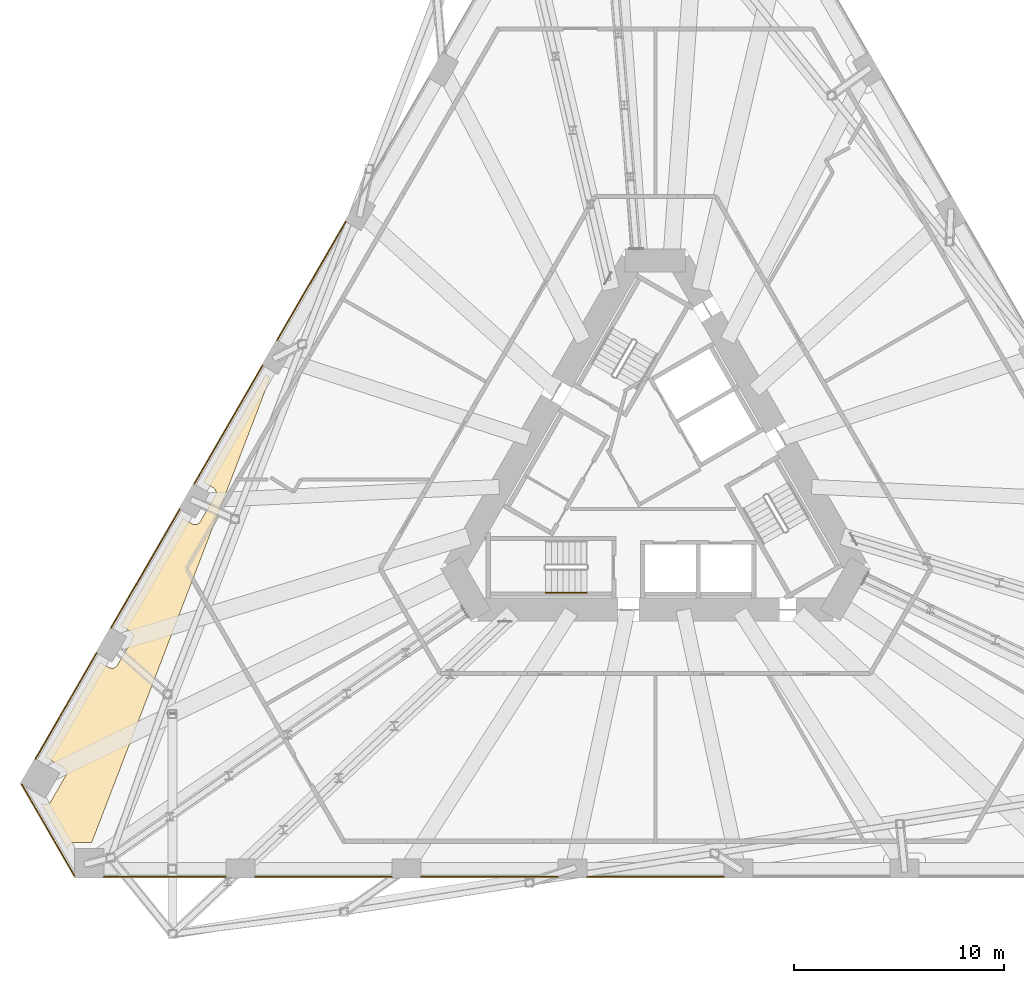
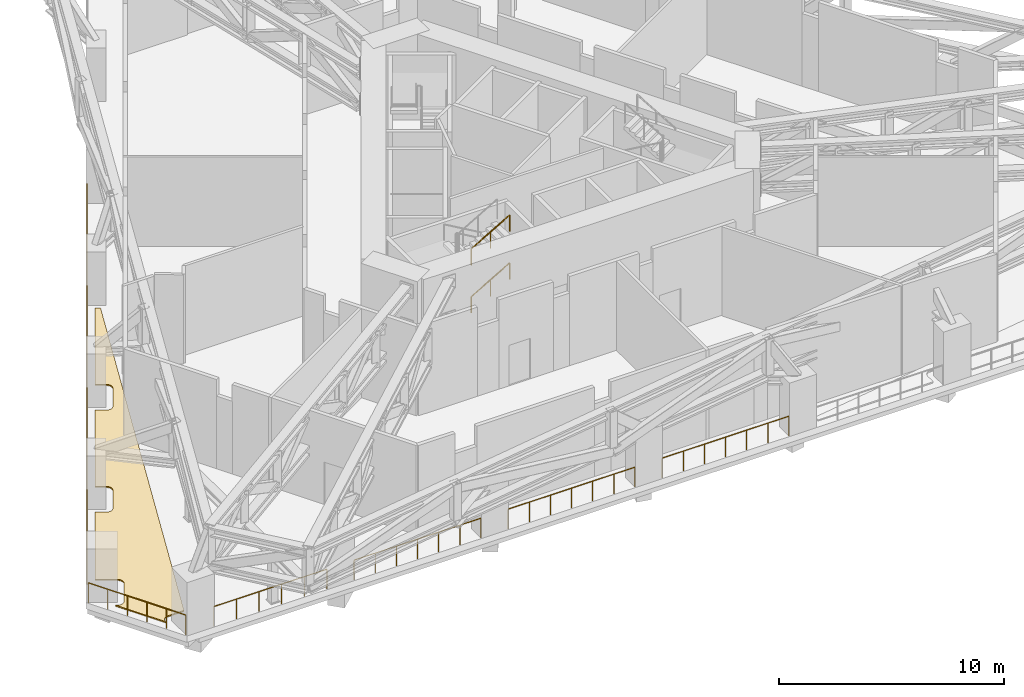
# One storey, part 17 of 20: 11 railings, 2 coverings.
"""IFC4 building model written with IfcOpenShell, lengths in metres."""

import ifcopenshell
import ifcopenshell.guid

model = None  # the IFC model being written
_history = None  # IfcOwnerHistory: only IFC2X3 demands one
_inside = {}  # id of a spatial element -> (the spatial element, [elements in it])
_under = {}  # id of a project, library or spatial element -> (it, [spatial elements below it])
_declared = {}  # id of a project -> (the project, [libraries it declares])
_typed = {}  # id of a type object -> (the type object, [elements of that type])
_made_of = {}  # id of a material, layer set ... -> (it, [elements and type objects made of it])


def new_model(schema):
    """Start an empty IFC model of exactly this schema.

    Asked for "IFC4X3", IfcOpenShell would pick the latest addendum, in which some entities
    have other attributes; the version numbers below select the first issue.
    IFC2X3 requires an IfcOwnerHistory on every rooted entity: one is made here for all.
    """
    global model, _history
    if schema == "IFC4X3":
        model = ifcopenshell.file(schema_version=(4, 3, 0, 0))
    else:
        model = ifcopenshell.file(schema=schema)
    _inside.clear()
    _under.clear()
    _declared.clear()
    _typed.clear()
    _made_of.clear()
    _history = None
    if model.schema == "IFC2X3":
        org = make("IfcOrganization", Name="unknown")
        user = make(
            "IfcPersonAndOrganization",
            ThePerson=make("IfcPerson", FamilyName="unknown"),
            TheOrganization=org,
        )
        app = make(
            "IfcApplication",
            ApplicationDeveloper=org,
            Version="unknown",
            ApplicationFullName="unknown",
            ApplicationIdentifier="unknown",
        )
        _history = make(
            "IfcOwnerHistory",
            OwningUser=user,
            OwningApplication=app,
            ChangeAction="ADDED",
            CreationDate=0,
        )
    return model


def make(cls, **values):
    """One entity of the class cls with the attributes given. An attribute that is None is left unset."""
    return model.create_entity(
        cls, **{name: value for name, value in values.items() if value is not None}
    )


def rooted(cls, **values):
    """An entity with a GlobalId (a new one), such as an element, a storey or a relation."""
    return make(cls, GlobalId=ifcopenshell.guid.new(), OwnerHistory=_history, **values)


def si_unit(unit_type, name, prefix=None):
    """IfcSIUnit, for example si_unit("LENGTHUNIT", "METRE", prefix="MILLI")."""
    return make("IfcSIUnit", UnitType=unit_type, Prefix=prefix, Name=name)


def assignment(units):
    """IfcUnitAssignment: the units of a project."""
    return None if units is None else make("IfcUnitAssignment", Units=units)


def point(xyz):
    """IfcCartesianPoint."""
    return None if xyz is None else make("IfcCartesianPoint", Coordinates=xyz)


def direction(xyz):
    """IfcDirection."""
    return None if xyz is None else make("IfcDirection", DirectionRatios=xyz)


def frame(location, z_axis=None, x_axis=None):
    """IfcAxis2Placement3D, a coordinate frame: its origin and axes. An axis left out is left unset."""
    return make(
        "IfcAxis2Placement3D",
        Location=point(location),
        Axis=direction(z_axis),
        RefDirection=direction(x_axis),
    )


def frame_2d(location, x_axis=None):
    """IfcAxis2Placement2D, a coordinate frame in the plane: its origin and x axis."""
    return make(
        "IfcAxis2Placement2D", Location=point(location), RefDirection=direction(x_axis)
    )


def origin():
    """The frame at (0, 0, 0) with its axes left unset."""
    return frame((0.0, 0.0, 0.0))


def origin_2d():
    """The frame at (0, 0) in the plane with its x axis left unset."""
    return frame_2d((0.0, 0.0))


def place(relative_to, where):
    """IfcLocalPlacement: puts the frame where relative to a parent placement (None: the world)."""
    return make(
        "IfcLocalPlacement", PlacementRelTo=relative_to, RelativePlacement=where
    )


def context(
    kind, dimensions, precision=None, world=None, true_north=None, identifier=None
):
    """IfcGeometricRepresentationContext, for example the 3D "Model" context."""
    return make(
        "IfcGeometricRepresentationContext",
        ContextIdentifier=identifier,
        ContextType=kind,
        CoordinateSpaceDimension=dimensions,
        Precision=precision,
        WorldCoordinateSystem=world,
        TrueNorth=true_north,
    )


def subcontext(parent, identifier, kind, view, scale=None):
    """IfcGeometricRepresentationSubContext, for example "Body" below "Model"."""
    return make(
        "IfcGeometricRepresentationSubContext",
        ContextIdentifier=identifier,
        ContextType=kind,
        ParentContext=parent,
        TargetScale=scale,
        TargetView=view,
    )


def project(units=None, contexts=None):
    """IfcProject with its units and contexts."""
    return rooted(
        "IfcProject",
        Name="project",
        RepresentationContexts=contexts,
        UnitsInContext=assignment(units),
    )


def spatial(cls, under=None, at=None, **own):
    """A site, building, storey or space (cls), placed at a placement, below another one or the project."""
    s = rooted(cls, ObjectPlacement=at, **own)
    if under is not None:
        _under.setdefault(under.id(), (under, []))[1].append(s)
    return s


def polyline(points):
    """IfcPolyline through the points."""
    return make("IfcPolyline", Points=[point(p) for p in points])


def profile(cls, at=None, kind="AREA", **sizes):
    """A parametric profile (cls). Its sizes go by their IFC names, for example OverallWidth=200.0."""
    return make(cls, ProfileType=kind, Position=at, **sizes)


def circle(**sizes):
    """IfcCircleProfileDef."""
    return profile("IfcCircleProfileDef", **sizes)


def outline(outer, holes=None, kind="AREA"):
    """IfcArbitraryClosedProfileDef: a profile drawn as a closed curve; with holes, ...WithVoids."""
    if holes is None:
        return make("IfcArbitraryClosedProfileDef", ProfileType=kind, OuterCurve=outer)
    return make(
        "IfcArbitraryProfileDefWithVoids",
        ProfileType=kind,
        OuterCurve=outer,
        InnerCurves=holes,
    )


def extrude(swept, where, along, depth):
    """IfcExtrudedAreaSolid: the profile swept, set in the frame where, extruded along a direction by depth."""
    return make(
        "IfcExtrudedAreaSolid",
        SweptArea=swept,
        Position=where,
        ExtrudedDirection=direction(along),
        Depth=depth,
    )


def shape(context_of_items, identifier, shape_type, items):
    """IfcShapeRepresentation: the items that make up one representation, for example the "Body"."""
    return make(
        "IfcShapeRepresentation",
        ContextOfItems=context_of_items,
        RepresentationIdentifier=identifier,
        RepresentationType=shape_type,
        Items=items,
    )


def material(Name=None, Category=None):
    """IfcMaterial."""
    return make("IfcMaterial", Name=Name, Category=Category)


def layer(
    of_material, thickness, ventilated=None, Name=None, Category=None, Priority=None
):
    """IfcMaterialLayer: one layer of a wall or slab, of a material (None: an air gap)."""
    return make(
        "IfcMaterialLayer",
        Material=of_material,
        LayerThickness=thickness,
        IsVentilated=ventilated,
        Name=Name,
        Category=Category,
        Priority=Priority,
    )


def layer_set(layers, Name=None):
    """IfcMaterialLayerSet."""
    return make("IfcMaterialLayerSet", MaterialLayers=layers, LayerSetName=Name)


def made_of(thing, what):
    """Note that an element or type object is made of a material, layer set ...; save() writes the relation."""
    if what is not None:
        _made_of.setdefault(what.id(), (what, []))[1].append(thing)
    return thing


def type_object(cls, material=None, **own):
    """A type object (cls), such as IfcWallType, which elements share."""
    return made_of(rooted(cls, **own), material)


def element(
    cls,
    number,
    at=None,
    inside=None,
    cuts=None,
    type_object=None,
    material=None,
    context=None,
    identifier="Body",
    shape_type=None,
    held_by="IfcProductDefinitionShape",
    body=None,
    shapes=None,
    **own,
):
    """One element of the class cls, such as IfcWall. Its Tag is "e" and its number.

    at: its placement. inside: the storey or other place that contains it. cuts: it is an
    opening in that element (IfcRelVoidsElement). A single representation is given by context,
    identifier, shape_type and body (its items); several are given by shapes. held_by: the class
    of the entity that holds the representations. save() writes the other relations.
    """
    e = rooted(cls, Tag="e%d" % number, ObjectPlacement=at, **own)
    if body is not None:
        shapes = [shape(context, identifier, shape_type, body)]
    if shapes is not None:
        e.Representation = make(held_by, Representations=shapes)
    if inside is not None:
        _inside.setdefault(inside.id(), (inside, []))[1].append(e)
    if cuts is not None:
        rooted(
            "IfcRelVoidsElement", RelatingBuildingElement=cuts, RelatedOpeningElement=e
        )
    if type_object is not None:
        _typed.setdefault(type_object.id(), (type_object, []))[1].append(e)
    return made_of(e, material)


def aggregate(whole, parts):
    """IfcRelAggregates: a whole, such as a stair, and the parts it consists of."""
    return rooted("IfcRelAggregates", RelatingObject=whole, RelatedObjects=parts)


def save(model, path):
    """Write the relations noted so far, then the file.

    IfcRelAggregates (storeys below a building ...), IfcRelContainedInSpatialStructure (elements
    in a storey), IfcRelDefinesByType, IfcRelAssociatesMaterial and IfcRelDeclares: one each for
    every whole, place, type object, material and project.
    """
    for whole, parts in _under.values():
        aggregate(whole, parts)
    for where, things in _inside.values():
        rooted(
            "IfcRelContainedInSpatialStructure",
            RelatedElements=things,
            RelatingStructure=where,
        )
    for kind, things in _typed.values():
        rooted("IfcRelDefinesByType", RelatedObjects=things, RelatingType=kind)
    for what, things in _made_of.values():
        rooted("IfcRelAssociatesMaterial", RelatedObjects=things, RelatingMaterial=what)
    for by, libraries in _declared.values():
        rooted("IfcRelDeclares", RelatingContext=by, RelatedDefinitions=libraries)
    model.write(path)


model = new_model("IFC4")

# Units and contexts
model_context = context("Model", 3, precision=1e-05, world=origin(), true_north=direction((0.0, 1.0)))
body_context = subcontext(model_context, "Body", "Model", "MODEL_VIEW")
ifc_project = project(units=[si_unit("LENGTHUNIT", "METRE"), si_unit("AREAUNIT", "SQUARE_METRE"), si_unit("VOLUMEUNIT", "CUBIC_METRE"), si_unit("PLANEANGLEUNIT", "RADIAN"), si_unit("MASSUNIT", "GRAM", prefix="KILO")], contexts=[model_context])

# Site, building, storey
site_placement = place(None, origin())
site = spatial("IfcSite", under=ifc_project, at=site_placement, CompositionType="ELEMENT")
building_placement = place(site_placement, origin())
building = spatial("IfcBuilding", under=site, at=building_placement, Name="Tramontana Tower", CompositionType="ELEMENT")
storey_placement = place(building_placement, frame((0.0, 0.0, 46.0)))
storey = spatial("IfcBuildingStorey", under=building, at=storey_placement, Name="L09", CompositionType="ELEMENT", Elevation=46.0)

# Railings
ifc_material_1 = material(Name="Stainless steel rail and posts", Category="steel")
railing_type_1 = type_object("IfcRailingType", Name="GD2 Terrace guard 1100", PredefinedType="GUARDRAIL", material=ifc_material_1)
railing_1_placement = place(storey_placement, frame((-30.224365234375, -14.550048828125, 0.0)))
element("IfcRailing", 1, at=railing_1_placement, inside=storey, type_object=railing_type_1, Name="Edge guard L09 1", PredefinedType="GUARDRAIL", context=body_context, shape_type="SweptSolid", body=[
    extrude(circle(Radius=0.02392578125, at=origin_2d()), frame((0.0, 0.0, 1.076171875), z_axis=(0.500012768347, -0.86601803185, 0.0), x_axis=(0.86601803185, 0.500012768347, 0.0)), (0.0, 0.0, 1.0), 5.022705078125),
    extrude(circle(Radius=0.02099609375, at=origin_2d()), origin(), (0.0, 0.0, 1.0), 1.052001953125),
    extrude(circle(Radius=0.02099609375, at=origin_2d()), frame((0.502197265625, -0.869873046875, 0.0)), (0.0, 0.0, 1.0), 1.052001953125),
    extrude(circle(Radius=0.02099609375, at=origin_2d()), frame((1.004638671875, -1.739990234375, 0.0)), (0.0, 0.0, 1.0), 1.052001953125),
    extrude(circle(Radius=0.02099609375, at=origin_2d()), frame((1.5068359375, -2.60986328125, 0.0)), (0.0, 0.0, 1.0), 1.052001953125),
    extrude(circle(Radius=0.02099609375, at=origin_2d()), frame((2.00927734375, -3.47998046875, 0.0)), (0.0, 0.0, 1.0), 1.052001953125),
    extrude(circle(Radius=0.02099609375, at=origin_2d()), frame((2.511474609375, -4.349853515625, 0.0)), (0.0, 0.0, 1.0), 1.052001953125),
])
railing_2_placement = place(storey_placement, frame((-26.65869140625, -8.274169921875, 0.0)))
element("IfcRailing", 2, at=railing_2_placement, inside=storey, type_object=railing_type_1, Name="Edge guard L09 2", PredefinedType="GUARDRAIL", context=body_context, shape_type="SweptSolid", body=[
    extrude(circle(Radius=0.02392578125, at=origin_2d()), frame((0.0, 0.0, 1.076171875), z_axis=(-0.500007002644, -0.866021360769, 0.0), x_axis=(0.866021360769, -0.500007002644, 0.0)), (0.0, 0.0, 1.0), 5.81787109375),
    extrude(circle(Radius=0.02099609375, at=origin_2d()), origin(), (0.0, 0.0, 1.0), 1.052001953125),
    extrude(circle(Radius=0.02099609375, at=origin_2d()), frame((-0.581787109375, -1.007568359375, 0.0)), (0.0, 0.0, 1.0), 1.052001953125),
    extrude(circle(Radius=0.02099609375, at=origin_2d()), frame((-1.16357421875, -2.015380859375, 0.0)), (0.0, 0.0, 1.0), 1.052001953125),
    extrude(circle(Radius=0.02099609375, at=origin_2d()), frame((-1.745361328125, -3.02294921875, 0.0)), (0.0, 0.0, 1.0), 1.052001953125),
    extrude(circle(Radius=0.02099609375, at=origin_2d()), frame((-2.3271484375, -4.03076171875, 0.0)), (0.0, 0.0, 1.0), 1.052001953125),
    extrude(circle(Radius=0.02099609375, at=origin_2d()), frame((-2.908935546875, -5.038330078125, 0.0)), (0.0, 0.0, 1.0), 1.052001953125),
])
railing_3_placement = place(storey_placement, frame((-26.312744140625, -18.949951171875, 0.0)))
element("IfcRailing", 3, at=railing_3_placement, inside=storey, type_object=railing_type_1, Name="Edge guard L09 3", PredefinedType="GUARDRAIL", context=body_context, shape_type="SweptSolid", body=[
    extrude(circle(Radius=0.02392578125, at=origin_2d()), frame((0.0, 0.0, 1.076171875), z_axis=(1.0, 0.0, 0.0), x_axis=(0.0, 1.0, 0.0)), (0.0, 0.0, 1.0), 5.81787109375),
    extrude(circle(Radius=0.02099609375, at=origin_2d()), origin(), (0.0, 0.0, 1.0), 1.052001953125),
    extrude(circle(Radius=0.02099609375, at=origin_2d()), frame((1.16357421875, 0.0, 0.0)), (0.0, 0.0, 1.0), 1.052001953125),
    extrude(circle(Radius=0.02099609375, at=origin_2d()), frame((2.3271484375, 0.0, 0.0)), (0.0, 0.0, 1.0), 1.052001953125),
    extrude(circle(Radius=0.02099609375, at=origin_2d()), frame((3.49072265625, 0.0, 0.0)), (0.0, 0.0, 1.0), 1.052001953125),
    extrude(circle(Radius=0.02099609375, at=origin_2d()), frame((4.654296875, 0.0, 0.0)), (0.0, 0.0, 1.0), 1.052001953125),
    extrude(circle(Radius=0.02099609375, at=origin_2d()), frame((5.81787109375, 0.0, 0.0)), (0.0, 0.0, 1.0), 1.052001953125),
])
railing_4_placement = place(storey_placement, frame((-22.69970703125, -1.4169921875, 0.0)))
element("IfcRailing", 4, at=railing_4_placement, inside=storey, type_object=railing_type_1, Name="Edge guard L09 4", PredefinedType="GUARDRAIL", context=body_context, shape_type="SweptSolid", body=[
    extrude(circle(Radius=0.02392578125, at=origin_2d()), frame((0.0, 0.0, 1.076171875), z_axis=(-0.499990498062, -0.866030889661, 0.0), x_axis=(0.866030889661, -0.499990498062, 0.0)), (0.0, 0.0, 1.0), 6.517822265625),
    extrude(circle(Radius=0.02099609375, at=origin_2d()), origin(), (0.0, 0.0, 1.0), 1.052001953125),
    extrude(circle(Radius=0.02099609375, at=origin_2d()), frame((-0.543212890625, -0.940673828125, 0.0)), (0.0, 0.0, 1.0), 1.052001953125),
    extrude(circle(Radius=0.02099609375, at=origin_2d()), frame((-1.086181640625, -1.881591796875, 0.0)), (0.0, 0.0, 1.0), 1.052001953125),
    extrude(circle(Radius=0.02099609375, at=origin_2d()), frame((-1.62939453125, -2.822265625, 0.0)), (0.0, 0.0, 1.0), 1.052001953125),
    extrude(circle(Radius=0.02099609375, at=origin_2d()), frame((-2.172607421875, -3.762939453125, 0.0)), (0.0, 0.0, 1.0), 1.052001953125),
    extrude(circle(Radius=0.02099609375, at=origin_2d()), frame((-2.715576171875, -4.703857421875, 0.0)), (0.0, 0.0, 1.0), 1.052001953125),
    extrude(circle(Radius=0.02099609375, at=origin_2d()), frame((-3.2587890625, -5.64453125, 0.0)), (0.0, 0.0, 1.0), 1.052001953125),
])
railing_5_placement = place(storey_placement, frame((-18.74072265625, 5.440185546875, 0.0)))
element("IfcRailing", 5, at=railing_5_placement, inside=storey, type_object=railing_type_1, Name="Edge guard L09 5", PredefinedType="GUARDRAIL", context=body_context, shape_type="SweptSolid", body=[
    extrude(circle(Radius=0.02392578125, at=origin_2d()), frame((0.0, 0.0, 1.076171875), z_axis=(-0.500002371706, -0.866024034475, 0.0), x_axis=(0.866024034475, -0.500002371706, 0.0)), (0.0, 0.0, 1.0), 6.51806640625),
    extrude(circle(Radius=0.02099609375, at=origin_2d()), origin(), (0.0, 0.0, 1.0), 1.052001953125),
    extrude(circle(Radius=0.02099609375, at=origin_2d()), frame((-0.543212890625, -0.94091796875, 0.0)), (0.0, 0.0, 1.0), 1.052001953125),
    extrude(circle(Radius=0.02099609375, at=origin_2d()), frame((-1.08642578125, -1.881591796875, 0.0)), (0.0, 0.0, 1.0), 1.052001953125),
    extrude(circle(Radius=0.02099609375, at=origin_2d()), frame((-1.62939453125, -2.822265625, 0.0)), (0.0, 0.0, 1.0), 1.052001953125),
    extrude(circle(Radius=0.02099609375, at=origin_2d()), frame((-2.172607421875, -3.76318359375, 0.0)), (0.0, 0.0, 1.0), 1.052001953125),
    extrude(circle(Radius=0.02099609375, at=origin_2d()), frame((-2.7158203125, -4.7041015625, 0.0)), (0.0, 0.0, 1.0), 1.052001953125),
    extrude(circle(Radius=0.02099609375, at=origin_2d()), frame((-3.259033203125, -5.644775390625, 0.0)), (0.0, 0.0, 1.0), 1.052001953125),
])
railing_6_placement = place(storey_placement, frame((-19.094970703125, -18.949951171875, 0.0)))
element("IfcRailing", 6, at=railing_6_placement, inside=storey, type_object=railing_type_1, Name="Edge guard L09 6", PredefinedType="GUARDRAIL", context=body_context, shape_type="SweptSolid", body=[
    extrude(circle(Radius=0.02392578125, at=origin_2d()), frame((0.0, 0.0, 1.076171875), z_axis=(1.0, 0.0, 0.0), x_axis=(0.0, 1.0, 0.0)), (0.0, 0.0, 1.0), 6.51806640625),
    extrude(circle(Radius=0.02099609375, at=origin_2d()), origin(), (0.0, 0.0, 1.0), 1.052001953125),
    extrude(circle(Radius=0.02099609375, at=origin_2d()), frame((1.08642578125, 0.0, 0.0)), (0.0, 0.0, 1.0), 1.052001953125),
    extrude(circle(Radius=0.02099609375, at=origin_2d()), frame((2.172607421875, 0.0, 0.0)), (0.0, 0.0, 1.0), 1.052001953125),
    extrude(circle(Radius=0.02099609375, at=origin_2d()), frame((3.259033203125, 0.0, 0.0)), (0.0, 0.0, 1.0), 1.052001953125),
    extrude(circle(Radius=0.02099609375, at=origin_2d()), frame((4.345458984375, 0.0, 0.0)), (0.0, 0.0, 1.0), 1.052001953125),
    extrude(circle(Radius=0.02099609375, at=origin_2d()), frame((5.431640625, 0.0, 0.0)), (0.0, 0.0, 1.0), 1.052001953125),
    extrude(circle(Radius=0.02099609375, at=origin_2d()), frame((6.51806640625, 0.0, 0.0)), (0.0, 0.0, 1.0), 1.052001953125),
])
railing_7_placement = place(storey_placement, frame((-14.78173828125, 12.29736328125, 0.0)))
element("IfcRailing", 7, at=railing_7_placement, inside=storey, type_object=railing_type_1, Name="Edge guard L09 7", PredefinedType="GUARDRAIL", context=body_context, shape_type="SweptSolid", body=[
    extrude(circle(Radius=0.02392578125, at=origin_2d()), frame((0.0, 0.0, 1.076171875), z_axis=(-0.500002371706, -0.866024034475, 0.0), x_axis=(0.866024034475, -0.500002371706, 0.0)), (0.0, 0.0, 1.0), 6.51806640625),
    extrude(circle(Radius=0.02099609375, at=origin_2d()), origin(), (0.0, 0.0, 1.0), 1.052001953125),
    extrude(circle(Radius=0.02099609375, at=origin_2d()), frame((-0.543212890625, -0.94091796875, 0.0)), (0.0, 0.0, 1.0), 1.052001953125),
    extrude(circle(Radius=0.02099609375, at=origin_2d()), frame((-1.08642578125, -1.881591796875, 0.0)), (0.0, 0.0, 1.0), 1.052001953125),
    extrude(circle(Radius=0.02099609375, at=origin_2d()), frame((-1.62939453125, -2.822265625, 0.0)), (0.0, 0.0, 1.0), 1.052001953125),
    extrude(circle(Radius=0.02099609375, at=origin_2d()), frame((-2.172607421875, -3.76318359375, 0.0)), (0.0, 0.0, 1.0), 1.052001953125),
    extrude(circle(Radius=0.02099609375, at=origin_2d()), frame((-2.7158203125, -4.7041015625, 0.0)), (0.0, 0.0, 1.0), 1.052001953125),
    extrude(circle(Radius=0.02099609375, at=origin_2d()), frame((-3.259033203125, -5.644775390625, 0.0)), (0.0, 0.0, 1.0), 1.052001953125),
])
for number, where, name in (
    (8, (-11.177001953125, -18.949951171875, 0.0), "Edge guard L09 9"),
    (9, (-3.259033203125, -18.949951171875, 0.0), "Edge guard L09 12"),
):
    element("IfcRailing", number, at=place(storey_placement, frame(where)), inside=storey, type_object=railing_type_1, Name=name, PredefinedType="GUARDRAIL", context=body_context, shape_type="SweptSolid", body=[
        extrude(circle(Radius=0.02392578125, at=origin_2d()), frame((0.0, 0.0, 1.076171875), z_axis=(1.0, 0.0, 0.0), x_axis=(0.0, 1.0, 0.0)), (0.0, 0.0, 1.0), 6.51806640625),
        extrude(circle(Radius=0.02099609375, at=origin_2d()), origin(), (0.0, 0.0, 1.0), 1.052001953125),
        extrude(circle(Radius=0.02099609375, at=origin_2d()), frame((1.08642578125, 0.0, 0.0)), (0.0, 0.0, 1.0), 1.052001953125),
        extrude(circle(Radius=0.02099609375, at=origin_2d()), frame((2.172607421875, 0.0, 0.0)), (0.0, 0.0, 1.0), 1.052001953125),
        extrude(circle(Radius=0.02099609375, at=origin_2d()), frame((3.259033203125, 0.0, 0.0)), (0.0, 0.0, 1.0), 1.052001953125),
        extrude(circle(Radius=0.02099609375, at=origin_2d()), frame((4.345458984375, 0.0, 0.0)), (0.0, 0.0, 1.0), 1.052001953125),
        extrude(circle(Radius=0.02099609375, at=origin_2d()), frame((5.431640625, 0.0, 0.0)), (0.0, 0.0, 1.0), 1.052001953125),
        extrude(circle(Radius=0.02099609375, at=origin_2d()), frame((6.51806640625, 0.0, 0.0)), (0.0, 0.0, 1.0), 1.052001953125),
    ])

# Covering
ifc_material_2 = material(Name="Limestone paving 60", Category="masonry")
ifc_layer_1 = layer(ifc_material_2, 0.06005859375)
ifc_layer_set_1 = layer_set([ifc_layer_1], Name="PV1 Terrace paving 60")
covering_type_1 = type_object("IfcCoveringType", Name="PV1 Terrace paving 60", PredefinedType="FLOORING", material=ifc_layer_set_1)
covering_1_placement = place(storey_placement, frame((0.0, 0.0, 0.010009765625)))
element("IfcCovering", 10, at=covering_1_placement, inside=storey, type_object=covering_type_1, Name="Terrace paving L09 2", PredefinedType="FLOORING", context=body_context, shape_type="SweptSolid", body=[
    extrude(outline(polyline([(-29.318115234375, -15.419677734375), (-29.24853515625, -15.459716796875), (-29.22216796875, -15.47314453125), (-29.19482421875, -15.484130859375), (-29.16650390625, -15.4921875), (-29.1376953125, -15.497314453125), (-29.108154296875, -15.499755859375), (-29.078857421875, -15.499267578125), (-29.049560546875, -15.49609375), (-29.020751953125, -15.48974609375), (-28.99267578125, -15.480712890625), (-28.9658203125, -15.468994140625), (-28.93994140625, -15.454833984375), (-28.915771484375, -15.43798828125), (-28.893310546875, -15.4189453125), (-28.872802734375, -15.397705078125), (-28.8544921875, -15.374755859375), (-28.838623046875, -15.35009765625), (-28.138671875, -14.137451171875), (-28.125244140625, -14.111328125), (-28.1142578125, -14.083984375), (-28.106201171875, -14.0556640625), (-28.10107421875, -14.026611328125), (-28.0986328125, -13.997314453125), (-28.09912109375, -13.968017578125), (-28.1025390625, -13.938720703125), (-28.108642578125, -13.909912109375), (-28.11767578125, -13.8818359375), (-28.12939453125, -13.85498046875), (-28.143798828125, -13.8291015625), (-28.160400390625, -13.804931640625), (-28.179443359375, -13.782470703125), (-28.20068359375, -13.761962890625), (-28.2236328125, -13.74365234375), (-28.24853515625, -13.727783203125), (-29.114501953125, -13.227783203125), (-26.505615234375, -8.708984375), (-26.072509765625, -8.958984375), (-26.04638671875, -8.972412109375), (-26.01904296875, -8.983154296875), (-25.99072265625, -8.9912109375), (-25.961669921875, -8.99658203125), (-25.932373046875, -8.9990234375), (-25.90283203125, -8.99853515625), (-25.87353515625, -8.9951171875), (-25.8447265625, -8.98876953125), (-25.81689453125, -8.979736328125), (-25.789794921875, -8.968017578125), (-25.76416015625, -8.953857421875), (-25.73974609375, -8.93701171875), (-25.717529296875, -8.91796875), (-25.697021484375, -8.89697265625), (-25.6787109375, -8.873779296875), (-25.66259765625, -8.84912109375), (-24.962646484375, -7.63671875), (-24.94921875, -7.6103515625), (-24.9384765625, -7.5830078125), (-24.930419921875, -7.5546875), (-24.925048828125, -7.52587890625), (-24.922607421875, -7.496337890625), (-24.923095703125, -7.467041015625), (-24.926513671875, -7.437744140625), (-24.9326171875, -7.408935546875), (-24.941650390625, -7.380859375), (-24.953369140625, -7.35400390625), (-24.9677734375, -7.328125), (-24.984375, -7.303955078125), (-25.00341796875, -7.281494140625), (-25.024658203125, -7.260986328125), (-25.0478515625, -7.24267578125), (-25.072509765625, -7.226806640625), (-25.505615234375, -6.976806640625), (-22.546630859375, -1.851806640625), (-22.113525390625, -2.101806640625), (-22.08740234375, -2.115234375), (-22.06005859375, -2.1259765625), (-22.03173828125, -2.134033203125), (-22.002685546875, -2.139404296875), (-21.973388671875, -2.141845703125), (-21.94384765625, -2.141357421875), (-21.91455078125, -2.137939453125), (-21.885986328125, -2.131591796875), (-21.85791015625, -2.122802734375), (-21.830810546875, -2.111083984375), (-21.80517578125, -2.0966796875), (-21.781005859375, -2.079833984375), (-21.758544921875, -2.060791015625), (-21.738037109375, -2.039794921875), (-21.7197265625, -2.0166015625), (-21.70361328125, -1.991943359375), (-21.003662109375, -0.779541015625), (-20.990234375, -0.75341796875), (-20.9794921875, -0.725830078125), (-20.971435546875, -0.697509765625), (-20.966064453125, -0.668701171875), (-20.963623046875, -0.639404296875), (-20.964111328125, -0.60986328125), (-20.967529296875, -0.58056640625), (-20.9736328125, -0.5517578125), (-20.982666015625, -0.52392578125), (-20.994384765625, -0.496826171875), (-21.0087890625, -0.47119140625), (-21.025634765625, -0.44677734375), (-21.044677734375, -0.42431640625), (-21.065673828125, -0.404052734375), (-21.0888671875, -0.3857421875), (-21.113525390625, -0.36962890625), (-21.546630859375, -0.11962890625), (-18.587646484375, 5.00537109375), (-18.37109375, 4.88037109375), (-26.885498046875, -17.300048828125), (-27.712890625, -17.300048828125), (-27.7421875, -17.301513671875), (-27.771240234375, -17.3056640625), (-27.7998046875, -17.31298828125), (-27.82763671875, -17.32275390625), (-27.854248046875, -17.33544921875), (-27.87939453125, -17.3505859375), (-27.903076171875, -17.3681640625), (-27.925048828125, -17.387939453125), (-27.94482421875, -17.40966796875), (-27.962158203125, -17.433349609375), (-27.977294921875, -17.45849609375), (-27.989990234375, -17.485107421875), (-28.0, -17.512939453125), (-28.007080078125, -17.54150390625), (-28.011474609375, -17.570556640625), (-28.0126953125, -17.60009765625), (-28.0126953125, -17.680419921875), (-29.318115234375, -15.419677734375)])), origin(), (0.0, 0.0, 1.0), 0.06005859375),
])

# Railings
ifc_material_3 = material(Name="Painted steel", Category="steel")
railing_type_2 = type_object("IfcRailingType", Name="STAIR HANDRAIL 900", PredefinedType="HANDRAIL", material=ifc_material_3)
railing_8_placement = place(storey_placement, frame((-5.239990234375, -5.39990234375, 1.46240234375)))
element("IfcRailing", 11, at=railing_8_placement, inside=storey, type_object=railing_type_2, Name="L09 ST2 stair handrail 2", PredefinedType="HANDRAIL", context=body_context, shape_type="SweptSolid", body=[
    extrude(circle(Radius=0.02392578125, at=origin_2d()), frame((0.0, 0.0, 0.8759765625), z_axis=(0.864855337533, 0.0, 0.502021160053), x_axis=(0.0, 1.0, 0.0)), (0.0, 0.0, 1.0), 2.26611328125),
    extrude(circle(Radius=0.02099609375, at=origin_2d()), origin(), (0.0, 0.0, 1.0), 0.851806640625),
    extrude(circle(Radius=0.02099609375, at=origin_2d()), frame((0.97998046875, 0.0, 0.56884765625)), (0.0, 0.0, 1.0), 0.851806640625),
    extrude(circle(Radius=0.02099609375, at=origin_2d()), frame((1.9599609375, 0.0, 1.1376953125)), (0.0, 0.0, 1.0), 0.851806640625),
])
railing_9_placement = place(storey_placement, frame((-5.239990234375, -5.39990234375, 4.0625)))
element("IfcRailing", 12, at=railing_9_placement, inside=storey, type_object=railing_type_2, Name="L09 ST2 stair handrail 4", PredefinedType="HANDRAIL", context=body_context, shape_type="SweptSolid", body=[
    extrude(circle(Radius=0.02392578125, at=origin_2d()), frame((0.0, 0.0, 0.8759765625), z_axis=(0.864902109995, 0.0, 0.501940574298), x_axis=(0.0, 1.0, 0.0)), (0.0, 0.0, 1.0), 2.26611328125),
    extrude(circle(Radius=0.02099609375, at=origin_2d()), origin(), (0.0, 0.0, 1.0), 0.851806640625),
    extrude(circle(Radius=0.02099609375, at=origin_2d()), frame((0.97998046875, 0.0, 0.56884765625)), (0.0, 0.0, 1.0), 0.851806640625),
    extrude(circle(Radius=0.02099609375, at=origin_2d()), frame((1.9599609375, 0.0, 1.137451171875)), (0.0, 0.0, 1.0), 0.851806640625),
])

# Covering
ifc_material_4 = material(Name="Bituminous waterproofing membrane")
ifc_layer_2 = layer(ifc_material_4, 0.010009765625)
ifc_layer_set_2 = layer_set([ifc_layer_2], Name="WP1 Terrace waterproofing membrane 10")
covering_type_2 = type_object("IfcCoveringType", Name="WP1 Terrace waterproofing membrane 10", PredefinedType="MEMBRANE", material=ifc_layer_set_2)
covering_2_placement = place(storey_placement, origin())
element("IfcCovering", 13, at=covering_2_placement, inside=storey, type_object=covering_type_2, Name="Terrace membrane L09 2", PredefinedType="MEMBRANE", context=body_context, shape_type="SweptSolid", body=[
    extrude(outline(polyline([(-29.318115234375, -15.419677734375), (-29.24853515625, -15.459716796875), (-29.22216796875, -15.47314453125), (-29.19482421875, -15.484130859375), (-29.16650390625, -15.4921875), (-29.1376953125, -15.497314453125), (-29.108154296875, -15.499755859375), (-29.078857421875, -15.499267578125), (-29.049560546875, -15.49609375), (-29.020751953125, -15.48974609375), (-28.99267578125, -15.480712890625), (-28.9658203125, -15.468994140625), (-28.93994140625, -15.454833984375), (-28.915771484375, -15.43798828125), (-28.893310546875, -15.4189453125), (-28.872802734375, -15.397705078125), (-28.8544921875, -15.374755859375), (-28.838623046875, -15.35009765625), (-28.138671875, -14.137451171875), (-28.125244140625, -14.111328125), (-28.1142578125, -14.083984375), (-28.106201171875, -14.0556640625), (-28.10107421875, -14.026611328125), (-28.0986328125, -13.997314453125), (-28.09912109375, -13.968017578125), (-28.1025390625, -13.938720703125), (-28.108642578125, -13.909912109375), (-28.11767578125, -13.8818359375), (-28.12939453125, -13.85498046875), (-28.143798828125, -13.8291015625), (-28.160400390625, -13.804931640625), (-28.179443359375, -13.782470703125), (-28.20068359375, -13.761962890625), (-28.2236328125, -13.74365234375), (-28.24853515625, -13.727783203125), (-29.114501953125, -13.227783203125), (-26.505615234375, -8.708984375), (-26.072509765625, -8.958984375), (-26.04638671875, -8.972412109375), (-26.01904296875, -8.983154296875), (-25.99072265625, -8.9912109375), (-25.961669921875, -8.99658203125), (-25.932373046875, -8.9990234375), (-25.90283203125, -8.99853515625), (-25.87353515625, -8.9951171875), (-25.8447265625, -8.98876953125), (-25.81689453125, -8.979736328125), (-25.789794921875, -8.968017578125), (-25.76416015625, -8.953857421875), (-25.73974609375, -8.93701171875), (-25.717529296875, -8.91796875), (-25.697021484375, -8.89697265625), (-25.6787109375, -8.873779296875), (-25.66259765625, -8.84912109375), (-24.962646484375, -7.63671875), (-24.94921875, -7.6103515625), (-24.9384765625, -7.5830078125), (-24.930419921875, -7.5546875), (-24.925048828125, -7.52587890625), (-24.922607421875, -7.496337890625), (-24.923095703125, -7.467041015625), (-24.926513671875, -7.437744140625), (-24.9326171875, -7.408935546875), (-24.941650390625, -7.380859375), (-24.953369140625, -7.35400390625), (-24.9677734375, -7.328125), (-24.984375, -7.303955078125), (-25.00341796875, -7.281494140625), (-25.024658203125, -7.260986328125), (-25.0478515625, -7.24267578125), (-25.072509765625, -7.226806640625), (-25.505615234375, -6.976806640625), (-22.546630859375, -1.851806640625), (-22.113525390625, -2.101806640625), (-22.08740234375, -2.115234375), (-22.06005859375, -2.1259765625), (-22.03173828125, -2.134033203125), (-22.002685546875, -2.139404296875), (-21.973388671875, -2.141845703125), (-21.94384765625, -2.141357421875), (-21.91455078125, -2.137939453125), (-21.885986328125, -2.131591796875), (-21.85791015625, -2.122802734375), (-21.830810546875, -2.111083984375), (-21.80517578125, -2.0966796875), (-21.781005859375, -2.079833984375), (-21.758544921875, -2.060791015625), (-21.738037109375, -2.039794921875), (-21.7197265625, -2.0166015625), (-21.70361328125, -1.991943359375), (-21.003662109375, -0.779541015625), (-20.990234375, -0.75341796875), (-20.9794921875, -0.725830078125), (-20.971435546875, -0.697509765625), (-20.966064453125, -0.668701171875), (-20.963623046875, -0.639404296875), (-20.964111328125, -0.60986328125), (-20.967529296875, -0.58056640625), (-20.9736328125, -0.5517578125), (-20.982666015625, -0.52392578125), (-20.994384765625, -0.496826171875), (-21.0087890625, -0.47119140625), (-21.025634765625, -0.44677734375), (-21.044677734375, -0.42431640625), (-21.065673828125, -0.404052734375), (-21.0888671875, -0.3857421875), (-21.113525390625, -0.36962890625), (-21.546630859375, -0.11962890625), (-18.587646484375, 5.00537109375), (-18.37109375, 4.88037109375), (-26.885498046875, -17.300048828125), (-27.712890625, -17.300048828125), (-27.7421875, -17.301513671875), (-27.771240234375, -17.3056640625), (-27.7998046875, -17.31298828125), (-27.82763671875, -17.32275390625), (-27.854248046875, -17.33544921875), (-27.87939453125, -17.3505859375), (-27.903076171875, -17.3681640625), (-27.925048828125, -17.387939453125), (-27.94482421875, -17.40966796875), (-27.962158203125, -17.433349609375), (-27.977294921875, -17.45849609375), (-27.989990234375, -17.485107421875), (-28.0, -17.512939453125), (-28.007080078125, -17.54150390625), (-28.011474609375, -17.570556640625), (-28.0126953125, -17.60009765625), (-28.0126953125, -17.680419921875), (-29.318115234375, -15.419677734375)])), origin(), (0.0, 0.0, 1.0), 0.010009765625),
])

save(model, "model.ifc")
